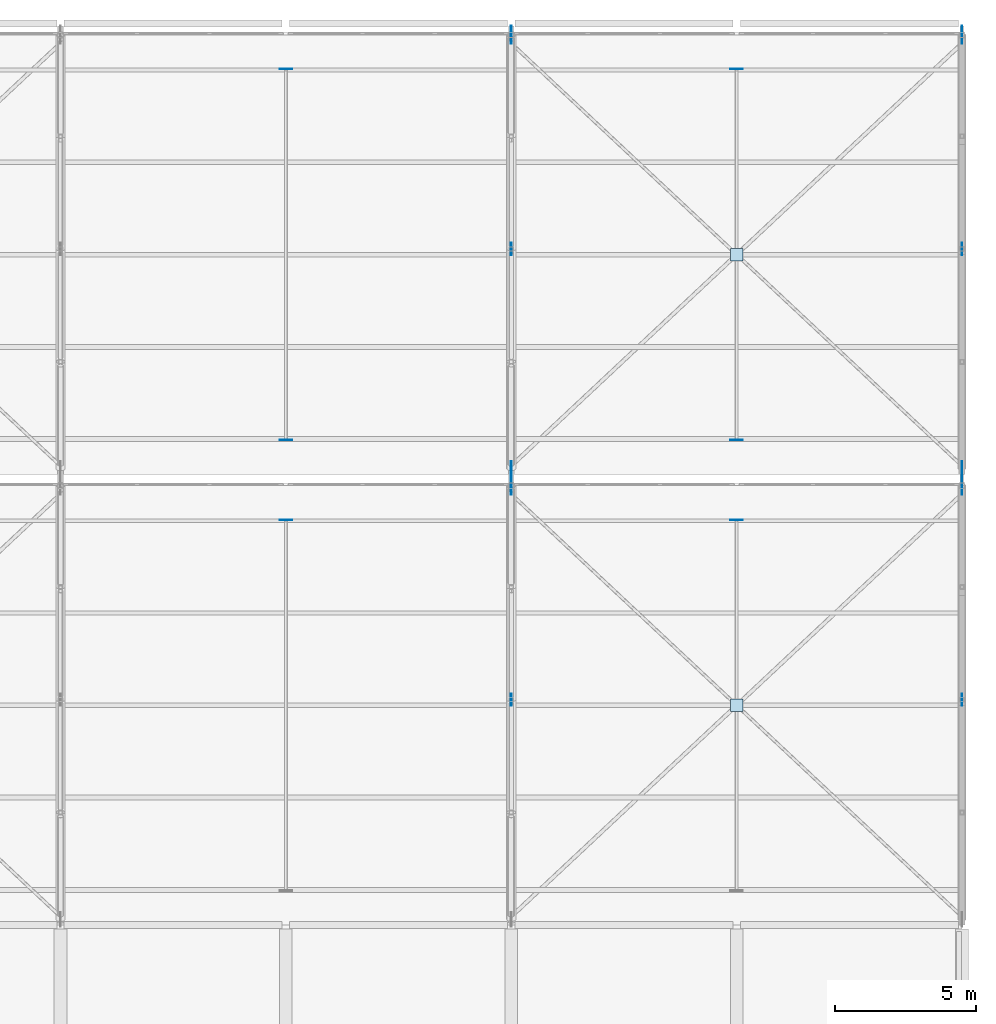
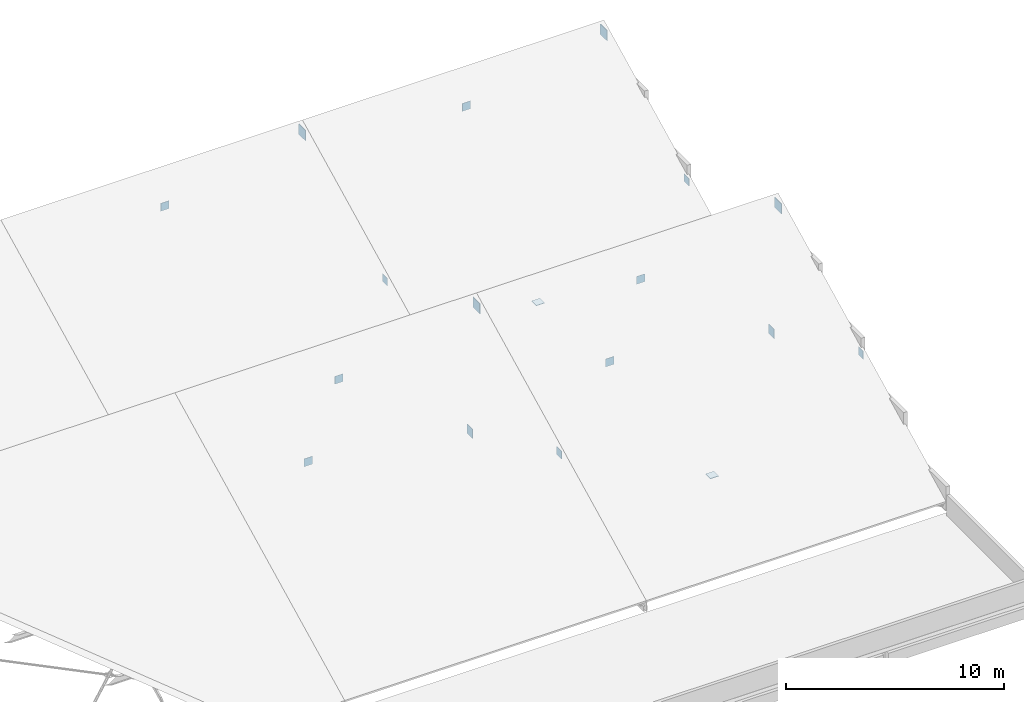
# One storey, part 107 of 137: 18 plates.
"""IFC4 building model written with IfcOpenShell, lengths in metres."""

from ifc_helpers import new_model, si_unit, direction, frame, origin, origin_2d, place, context, subcontext, project, spatial, rectangle, extrude, material, layer, layer_set, type_object, element, save


model = new_model("IFC4")

# Units and contexts
model_context = context("Model", 3, precision=1e-05, world=origin(), true_north=direction((0.0, 1.0)))
body_context = subcontext(model_context, "Body", "Model", "MODEL_VIEW")
ifc_project = project(units=[si_unit("LENGTHUNIT", "METRE"), si_unit("AREAUNIT", "SQUARE_METRE"), si_unit("VOLUMEUNIT", "CUBIC_METRE"), si_unit("PLANEANGLEUNIT", "RADIAN"), si_unit("MASSUNIT", "GRAM", prefix="KILO")], contexts=[model_context])

# Site, building, storey
site_placement = place(None, origin())
site = spatial("IfcSite", under=ifc_project, at=site_placement, CompositionType="ELEMENT")
building_placement = place(site_placement, origin())
building = spatial("IfcBuilding", under=site, at=building_placement, Name="Jelvoka-Kovrelna Polytechnic", CompositionType="ELEMENT")
storey_placement = place(building_placement, frame((0.0, 0.0, 9.60009765625)))
storey = spatial("IfcBuildingStorey", under=building, at=storey_placement, Name="L03", CompositionType="ELEMENT", Elevation=9.60009765625)

# Plates
ifc_material_1 = material(Name="Structural steel S355JR", Category="steel")
ifc_layer_1 = layer(ifc_material_1, 0.02392578125)
ifc_layer_set_1 = layer_set([ifc_layer_1], Name="Structural steel S355JR")
plate_type_1 = type_object("IfcPlateType", Name="Plate_Gusset_GP1", PredefinedType="SHEET", material=ifc_layer_set_1)
for number, where, z_axis, x_axis, name in (
    (1, (184.0, 104.199951171875, 0.056396484375), (0.0, 0.0, 1.0), (0.0, 1.0, 0.0), "Sawtooth truss 7 steel gusset node plate 040"),
    (2, (200.0, 104.199951171875, 0.056396484375), (0.0, 0.0, 1.0), (0.0, 1.0, 0.0), "Sawtooth truss 8 steel gusset node plate 046"),
):
    element("IfcPlate", number, at=place(storey_placement, frame(where, z_axis=z_axis, x_axis=x_axis)), inside=storey, type_object=plate_type_1, Name=name, PredefinedType="SHEET", context=body_context, shape_type="SweptSolid", body=[
        extrude(rectangle(XDim=0.52001953125, YDim=0.02392578125, at=origin_2d()), origin(), (0.0, 0.0, 1.0), 0.52001953125),
    ])
ifc_material_2 = material(Name="Structural steel S355JR", Category="steel")
ifc_layer_2 = layer(ifc_material_2, 0.028076171875)
ifc_layer_set_2 = layer_set([ifc_layer_2], Name="Structural steel S355JR")
plate_type_2 = type_object("IfcPlateType", Name="Plate_Gusset_GP2", PredefinedType="SHEET", material=ifc_layer_set_2)
for number, where, z_axis, x_axis, name in (
    (3, (184.0, 103.60009765625, 7.449951171875), (0.0, 0.0, 1.0), (0.0, 1.0, 0.0), "Sawtooth truss 7 steel gusset node plate 039"),
    (4, (184.0, 119.60009765625, 7.449951171875), (0.0, 0.0, 1.0), (0.0, 1.0, 0.0), "Sawtooth truss 7 steel gusset node plate 042"),
    (5, (200.0, 103.60009765625, 7.449951171875), (0.0, 0.0, 1.0), (0.0, 1.0, 0.0), "Sawtooth truss 8 steel gusset node plate 045"),
    (6, (200.0, 119.60009765625, 7.449951171875), (0.0, 0.0, 1.0), (0.0, 1.0, 0.0), "Sawtooth truss 8 steel gusset node plate 048"),
):
    element("IfcPlate", number, at=place(storey_placement, frame(where, z_axis=z_axis, x_axis=x_axis)), inside=storey, type_object=plate_type_2, Name=name, PredefinedType="SHEET", context=body_context, shape_type="SweptSolid", body=[
        extrude(rectangle(XDim=0.639892578125, YDim=0.028076171875, at=origin_2d()), origin(), (0.0, 0.0, 1.0), 0.580078125),
    ])
ifc_material_3 = material(Name="Structural steel S355JR", Category="steel")
ifc_layer_3 = layer(ifc_material_3, 0.02001953125)
ifc_layer_set_3 = layer_set([ifc_layer_3], Name="Structural steel S355JR")
plate_type_3 = type_object("IfcPlateType", Name="Plate_Gusset_GP3", PredefinedType="SHEET", material=ifc_layer_set_3)
for number, where, z_axis, x_axis, name in (
    (7, (184.0, 96.0, 3.8564453125), (0.0, 0.0, 1.0), (0.0, 1.0, 0.0), "Sawtooth truss 7 steel gusset node plate 038"),
    (8, (184.0, 112.0, 3.8564453125), (0.0, 0.0, 1.0), (0.0, 1.0, 0.0), "Sawtooth truss 7 steel gusset node plate 041"),
    (9, (200.0, 96.0, 3.8564453125), (0.0, 0.0, 1.0), (0.0, 1.0, 0.0), "Sawtooth truss 8 steel gusset node plate 044"),
    (10, (200.0, 112.0, 3.8564453125), (0.0, 0.0, 1.0), (0.0, 1.0, 0.0), "Sawtooth truss 8 steel gusset node plate 047"),
    (11, (176.0, 102.382080078125, 6.933349609375), (0.0, 0.0, 1.0), (1.0, 0.0, 0.0), "Sawtooth rafter 6.1 top steel end cap plate 076"),
    (12, (176.0, 105.218017578125, 0.58642578125), (0.0, 0.0, 1.0), (1.0, 0.0, 0.0), "Sawtooth rafter 6.2 bot steel end cap plate 077"),
    (13, (176.0, 118.382080078125, 6.933349609375), (0.0, 0.0, 1.0), (1.0, 0.0, 0.0), "Sawtooth rafter 6.2 top steel end cap plate 078"),
    (14, (192.0, 102.382080078125, 6.933349609375), (0.0, 0.0, 1.0), (1.0, 0.0, 0.0), "Sawtooth rafter 7.1 top steel end cap plate 080"),
):
    element("IfcPlate", number, at=place(storey_placement, frame(where, z_axis=z_axis, x_axis=x_axis)), inside=storey, type_object=plate_type_3, Name=name, PredefinedType="SHEET", context=body_context, shape_type="SweptSolid", body=[
        extrude(rectangle(XDim=0.43994140625, YDim=0.02001953125, at=origin_2d()), origin(), (0.0, 0.0, 1.0), 0.43994140625),
    ])
plate_1_placement = place(storey_placement, frame((192.0, 95.800048828125, 0.139892578125), z_axis=(0.0, 0.0, 1.0), x_axis=(1.0, 0.0, 0.0)))
element("IfcPlate", 15, at=plate_1_placement, inside=storey, type_object=plate_type_3, Name="Sawtooth roof X-brace crossing gusset plate 0081", PredefinedType="SHEET", context=body_context, shape_type="SweptSolid", body=[
    extrude(rectangle(XDim=0.43994140625, YDim=0.43994140625, at=origin_2d()), origin(), (0.0, 0.0, 1.0), 0.02001953125),
])
for number, where, z_axis, x_axis, name in (
    (16, (192.0, 105.218017578125, 0.58642578125), (0.0, 0.0, 1.0), (1.0, 0.0, 0.0), "Sawtooth rafter 7.2 bot steel end cap plate 082"),
    (17, (192.0, 118.382080078125, 6.933349609375), (0.0, 0.0, 1.0), (1.0, 0.0, 0.0), "Sawtooth rafter 7.2 top steel end cap plate 083"),
):
    element("IfcPlate", number, at=place(storey_placement, frame(where, z_axis=z_axis, x_axis=x_axis)), inside=storey, type_object=plate_type_3, Name=name, PredefinedType="SHEET", context=body_context, shape_type="SweptSolid", body=[
        extrude(rectangle(XDim=0.43994140625, YDim=0.02001953125, at=origin_2d()), origin(), (0.0, 0.0, 1.0), 0.43994140625),
    ])
plate_2_placement = place(storey_placement, frame((192.0, 111.800048828125, 0.139892578125), z_axis=(0.0, 0.0, 1.0), x_axis=(1.0, 0.0, 0.0)))
element("IfcPlate", 18, at=plate_2_placement, inside=storey, type_object=plate_type_3, Name="Sawtooth roof X-brace crossing gusset plate 0084", PredefinedType="SHEET", context=body_context, shape_type="SweptSolid", body=[
    extrude(rectangle(XDim=0.43994140625, YDim=0.43994140625, at=origin_2d()), origin(), (0.0, 0.0, 1.0), 0.02001953125),
])

save(model, "model.ifc")
